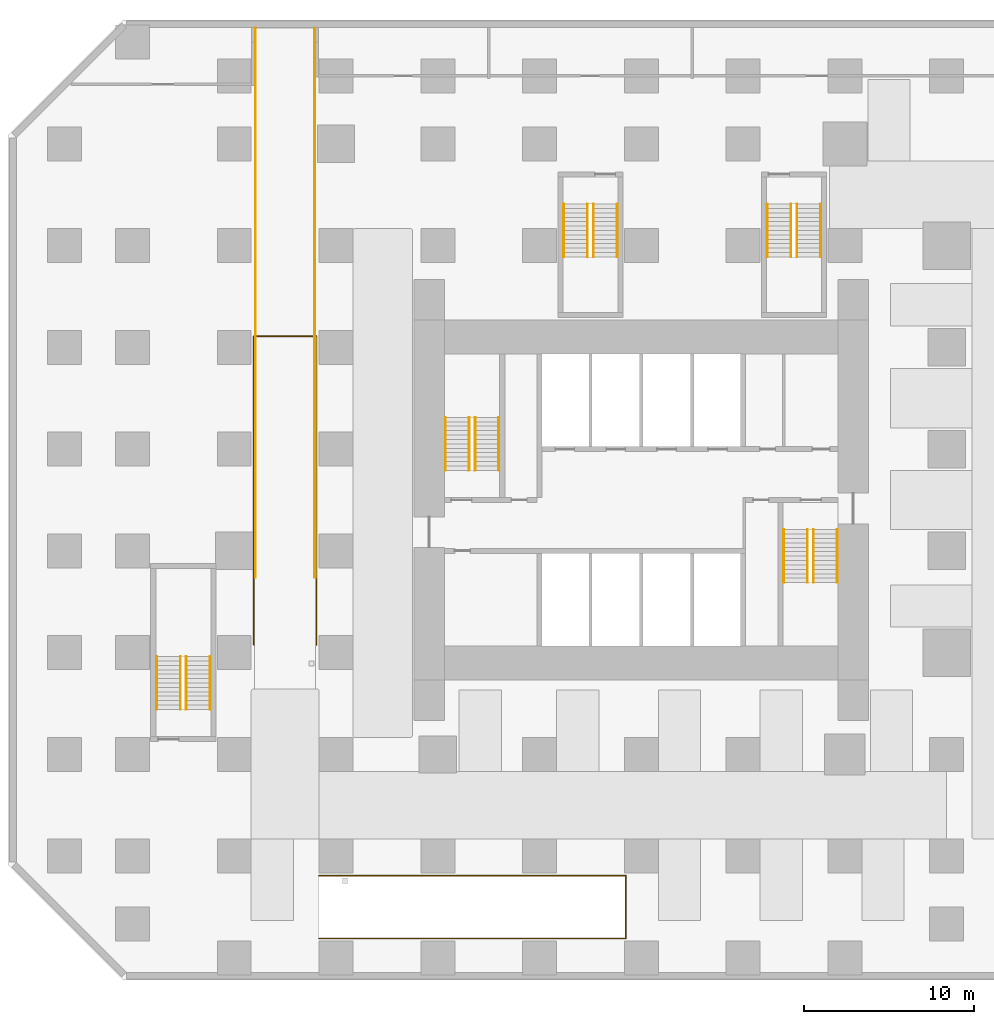
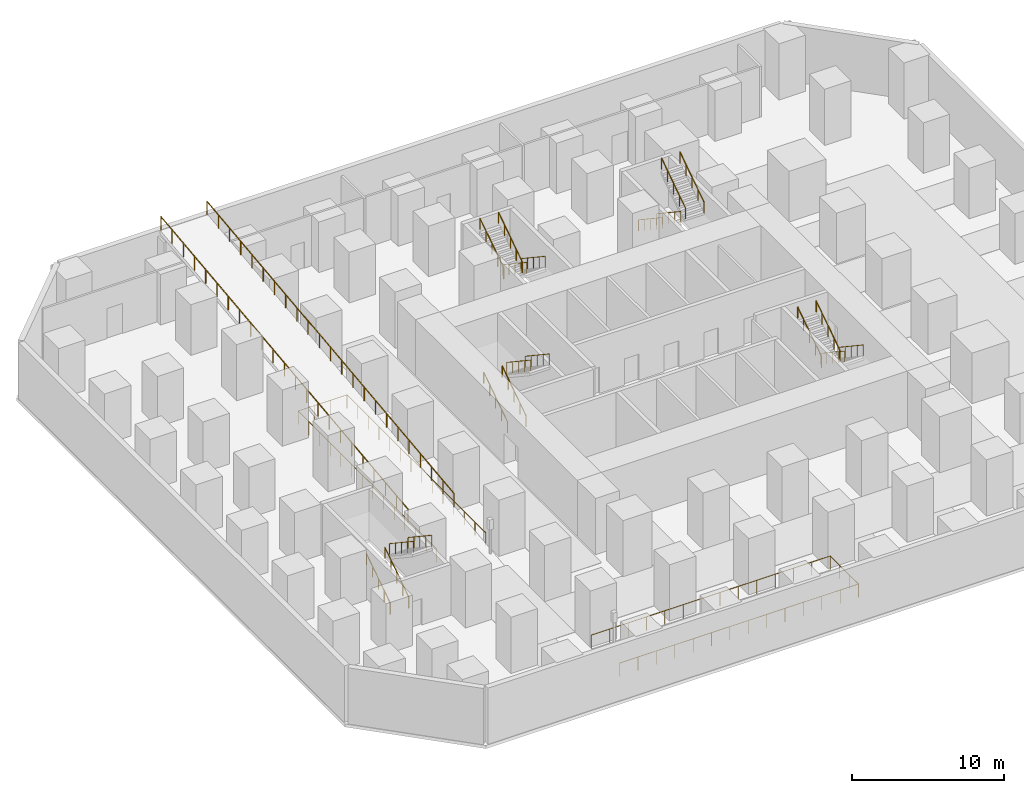
# One storey, part 5 of 6: 24 railings.
"""IFC4 building model written with IfcOpenShell, lengths in metres."""

import ifcopenshell
import ifcopenshell.guid

model = None  # the IFC model being written
_history = None  # IfcOwnerHistory: only IFC2X3 demands one
_inside = {}  # id of a spatial element -> (the spatial element, [elements in it])
_under = {}  # id of a project, library or spatial element -> (it, [spatial elements below it])
_declared = {}  # id of a project -> (the project, [libraries it declares])
_typed = {}  # id of a type object -> (the type object, [elements of that type])
_made_of = {}  # id of a material, layer set ... -> (it, [elements and type objects made of it])


def new_model(schema):
    """Start an empty IFC model of exactly this schema.

    Asked for "IFC4X3", IfcOpenShell would pick the latest addendum, in which some entities
    have other attributes; the version numbers below select the first issue.
    IFC2X3 requires an IfcOwnerHistory on every rooted entity: one is made here for all.
    """
    global model, _history
    if schema == "IFC4X3":
        model = ifcopenshell.file(schema_version=(4, 3, 0, 0))
    else:
        model = ifcopenshell.file(schema=schema)
    _inside.clear()
    _under.clear()
    _declared.clear()
    _typed.clear()
    _made_of.clear()
    _history = None
    if model.schema == "IFC2X3":
        org = make("IfcOrganization", Name="unknown")
        user = make(
            "IfcPersonAndOrganization",
            ThePerson=make("IfcPerson", FamilyName="unknown"),
            TheOrganization=org,
        )
        app = make(
            "IfcApplication",
            ApplicationDeveloper=org,
            Version="unknown",
            ApplicationFullName="unknown",
            ApplicationIdentifier="unknown",
        )
        _history = make(
            "IfcOwnerHistory",
            OwningUser=user,
            OwningApplication=app,
            ChangeAction="ADDED",
            CreationDate=0,
        )
    return model


def make(cls, **values):
    """One entity of the class cls with the attributes given. An attribute that is None is left unset."""
    return model.create_entity(
        cls, **{name: value for name, value in values.items() if value is not None}
    )


def rooted(cls, **values):
    """An entity with a GlobalId (a new one), such as an element, a storey or a relation."""
    return make(cls, GlobalId=ifcopenshell.guid.new(), OwnerHistory=_history, **values)


def si_unit(unit_type, name, prefix=None):
    """IfcSIUnit, for example si_unit("LENGTHUNIT", "METRE", prefix="MILLI")."""
    return make("IfcSIUnit", UnitType=unit_type, Prefix=prefix, Name=name)


def assignment(units):
    """IfcUnitAssignment: the units of a project."""
    return None if units is None else make("IfcUnitAssignment", Units=units)


def point(xyz):
    """IfcCartesianPoint."""
    return None if xyz is None else make("IfcCartesianPoint", Coordinates=xyz)


def direction(xyz):
    """IfcDirection."""
    return None if xyz is None else make("IfcDirection", DirectionRatios=xyz)


def frame(location, z_axis=None, x_axis=None):
    """IfcAxis2Placement3D, a coordinate frame: its origin and axes. An axis left out is left unset."""
    return make(
        "IfcAxis2Placement3D",
        Location=point(location),
        Axis=direction(z_axis),
        RefDirection=direction(x_axis),
    )


def frame_2d(location, x_axis=None):
    """IfcAxis2Placement2D, a coordinate frame in the plane: its origin and x axis."""
    return make(
        "IfcAxis2Placement2D", Location=point(location), RefDirection=direction(x_axis)
    )


def origin():
    """The frame at (0, 0, 0) with its axes left unset."""
    return frame((0.0, 0.0, 0.0))


def origin_2d():
    """The frame at (0, 0) in the plane with its x axis left unset."""
    return frame_2d((0.0, 0.0))


def place(relative_to, where):
    """IfcLocalPlacement: puts the frame where relative to a parent placement (None: the world)."""
    return make(
        "IfcLocalPlacement", PlacementRelTo=relative_to, RelativePlacement=where
    )


def context(
    kind, dimensions, precision=None, world=None, true_north=None, identifier=None
):
    """IfcGeometricRepresentationContext, for example the 3D "Model" context."""
    return make(
        "IfcGeometricRepresentationContext",
        ContextIdentifier=identifier,
        ContextType=kind,
        CoordinateSpaceDimension=dimensions,
        Precision=precision,
        WorldCoordinateSystem=world,
        TrueNorth=true_north,
    )


def subcontext(parent, identifier, kind, view, scale=None):
    """IfcGeometricRepresentationSubContext, for example "Body" below "Model"."""
    return make(
        "IfcGeometricRepresentationSubContext",
        ContextIdentifier=identifier,
        ContextType=kind,
        ParentContext=parent,
        TargetScale=scale,
        TargetView=view,
    )


def project(units=None, contexts=None):
    """IfcProject with its units and contexts."""
    return rooted(
        "IfcProject",
        Name="project",
        RepresentationContexts=contexts,
        UnitsInContext=assignment(units),
    )


def spatial(cls, under=None, at=None, **own):
    """A site, building, storey or space (cls), placed at a placement, below another one or the project."""
    s = rooted(cls, ObjectPlacement=at, **own)
    if under is not None:
        _under.setdefault(under.id(), (under, []))[1].append(s)
    return s


def profile(cls, at=None, kind="AREA", **sizes):
    """A parametric profile (cls). Its sizes go by their IFC names, for example OverallWidth=200.0."""
    return make(cls, ProfileType=kind, Position=at, **sizes)


def circle(**sizes):
    """IfcCircleProfileDef."""
    return profile("IfcCircleProfileDef", **sizes)


def extrude(swept, where, along, depth):
    """IfcExtrudedAreaSolid: the profile swept, set in the frame where, extruded along a direction by depth."""
    return make(
        "IfcExtrudedAreaSolid",
        SweptArea=swept,
        Position=where,
        ExtrudedDirection=direction(along),
        Depth=depth,
    )


def shape(context_of_items, identifier, shape_type, items):
    """IfcShapeRepresentation: the items that make up one representation, for example the "Body"."""
    return make(
        "IfcShapeRepresentation",
        ContextOfItems=context_of_items,
        RepresentationIdentifier=identifier,
        RepresentationType=shape_type,
        Items=items,
    )


def material(Name=None, Category=None):
    """IfcMaterial."""
    return make("IfcMaterial", Name=Name, Category=Category)


def made_of(thing, what):
    """Note that an element or type object is made of a material, layer set ...; save() writes the relation."""
    if what is not None:
        _made_of.setdefault(what.id(), (what, []))[1].append(thing)
    return thing


def type_object(cls, material=None, **own):
    """A type object (cls), such as IfcWallType, which elements share."""
    return made_of(rooted(cls, **own), material)


def element(
    cls,
    number,
    at=None,
    inside=None,
    cuts=None,
    type_object=None,
    material=None,
    context=None,
    identifier="Body",
    shape_type=None,
    held_by="IfcProductDefinitionShape",
    body=None,
    shapes=None,
    **own,
):
    """One element of the class cls, such as IfcWall. Its Tag is "e" and its number.

    at: its placement. inside: the storey or other place that contains it. cuts: it is an
    opening in that element (IfcRelVoidsElement). A single representation is given by context,
    identifier, shape_type and body (its items); several are given by shapes. held_by: the class
    of the entity that holds the representations. save() writes the other relations.
    """
    e = rooted(cls, Tag="e%d" % number, ObjectPlacement=at, **own)
    if body is not None:
        shapes = [shape(context, identifier, shape_type, body)]
    if shapes is not None:
        e.Representation = make(held_by, Representations=shapes)
    if inside is not None:
        _inside.setdefault(inside.id(), (inside, []))[1].append(e)
    if cuts is not None:
        rooted(
            "IfcRelVoidsElement", RelatingBuildingElement=cuts, RelatedOpeningElement=e
        )
    if type_object is not None:
        _typed.setdefault(type_object.id(), (type_object, []))[1].append(e)
    return made_of(e, material)


def aggregate(whole, parts):
    """IfcRelAggregates: a whole, such as a stair, and the parts it consists of."""
    return rooted("IfcRelAggregates", RelatingObject=whole, RelatedObjects=parts)


def save(model, path):
    """Write the relations noted so far, then the file.

    IfcRelAggregates (storeys below a building ...), IfcRelContainedInSpatialStructure (elements
    in a storey), IfcRelDefinesByType, IfcRelAssociatesMaterial and IfcRelDeclares: one each for
    every whole, place, type object, material and project.
    """
    for whole, parts in _under.values():
        aggregate(whole, parts)
    for where, things in _inside.values():
        rooted(
            "IfcRelContainedInSpatialStructure",
            RelatedElements=things,
            RelatingStructure=where,
        )
    for kind, things in _typed.values():
        rooted("IfcRelDefinesByType", RelatedObjects=things, RelatingType=kind)
    for what, things in _made_of.values():
        rooted("IfcRelAssociatesMaterial", RelatedObjects=things, RelatingMaterial=what)
    for by, libraries in _declared.values():
        rooted("IfcRelDeclares", RelatingContext=by, RelatedDefinitions=libraries)
    model.write(path)


model = new_model("IFC4")

# Units and contexts
model_context = context("Model", 3, precision=1e-05, world=origin(), true_north=direction((0.0, 1.0)))
body_context = subcontext(model_context, "Body", "Model", "MODEL_VIEW")
ifc_project = project(units=[si_unit("LENGTHUNIT", "METRE"), si_unit("AREAUNIT", "SQUARE_METRE"), si_unit("VOLUMEUNIT", "CUBIC_METRE"), si_unit("PLANEANGLEUNIT", "RADIAN"), si_unit("MASSUNIT", "GRAM", prefix="KILO")], contexts=[model_context])

# Site, building, storey
site_placement = place(None, origin())
site = spatial("IfcSite", under=ifc_project, at=site_placement, CompositionType="ELEMENT")
building_placement = place(site_placement, origin())
building = spatial("IfcBuilding", under=site, at=building_placement, Name="Highveld Stack Headquarters", CompositionType="ELEMENT")
storey_placement = place(building_placement, frame((0.0, 0.0, -4.5)))
storey = spatial("IfcBuildingStorey", under=building, at=storey_placement, Name="B1", CompositionType="ELEMENT", Elevation=-4.5)

# Railings
ifc_material_1 = material(Name="Steel balustrade, powder coated", Category="steel")
railing_type_1 = type_object("IfcRailingType", Name="RAMP GUARD GR3 1100", PredefinedType="GUARDRAIL", material=ifc_material_1)
railing_1_placement = place(storey_placement, frame((-16.85009765625, -5.535400390625, 0.0)))
element("IfcRailing", 1, at=railing_1_placement, inside=storey, type_object=railing_type_1, Name="Guard under ramp B1 R1 1", PredefinedType="GUARDRAIL", context=body_context, shape_type="SweptSolid", body=[
    extrude(circle(Radius=0.02392578125, at=origin_2d()), frame((0.0, 0.0, 1.076171875), z_axis=(0.0, 1.0, 0.0), x_axis=(-1.0, 0.0, 0.0)), (0.0, 0.0, 1.0), 18.18408203125),
    extrude(circle(Radius=0.02392578125, at=origin_2d()), frame((0.0, 18.18408203125, 1.076171875), z_axis=(1.0, 0.0, 0.0), x_axis=(0.0, 1.0, 0.0)), (0.0, 0.0, 1.0), 3.7001953125),
    extrude(circle(Radius=0.02392578125, at=origin_2d()), frame((3.7001953125, 18.18408203125, 1.076171875), z_axis=(0.0, -1.0, 0.0), x_axis=(1.0, 0.0, 0.0)), (0.0, 0.0, 1.0), 18.18408203125),
    extrude(circle(Radius=0.02099609375, at=origin_2d()), origin(), (0.0, 0.0, 1.0), 1.052001953125),
    extrude(circle(Radius=0.02099609375, at=origin_2d()), frame((0.0, 1.398681640625, 0.0)), (0.0, 0.0, 1.0), 1.052001953125),
    extrude(circle(Radius=0.02099609375, at=origin_2d()), frame((0.0, 2.797607421875, 0.0)), (0.0, 0.0, 1.0), 1.052001953125),
    extrude(circle(Radius=0.02099609375, at=origin_2d()), frame((0.0, 4.1962890625, 0.0)), (0.0, 0.0, 1.0), 1.052001953125),
    extrude(circle(Radius=0.02099609375, at=origin_2d()), frame((0.0, 5.59521484375, 0.0)), (0.0, 0.0, 1.0), 1.052001953125),
    extrude(circle(Radius=0.02099609375, at=origin_2d()), frame((0.0, 6.993896484375, 0.0)), (0.0, 0.0, 1.0), 1.052001953125),
    extrude(circle(Radius=0.02099609375, at=origin_2d()), frame((0.0, 8.392578125, 0.0)), (0.0, 0.0, 1.0), 1.052001953125),
    extrude(circle(Radius=0.02099609375, at=origin_2d()), frame((0.0, 9.79150390625, 0.0)), (0.0, 0.0, 1.0), 1.052001953125),
    extrude(circle(Radius=0.02099609375, at=origin_2d()), frame((0.0, 11.190185546875, 0.0)), (0.0, 0.0, 1.0), 1.052001953125),
    extrude(circle(Radius=0.02099609375, at=origin_2d()), frame((0.0, 12.5888671875, 0.0)), (0.0, 0.0, 1.0), 1.052001953125),
    extrude(circle(Radius=0.02099609375, at=origin_2d()), frame((0.0, 13.98779296875, 0.0)), (0.0, 0.0, 1.0), 1.052001953125),
    extrude(circle(Radius=0.02099609375, at=origin_2d()), frame((0.0, 15.386474609375, 0.0)), (0.0, 0.0, 1.0), 1.052001953125),
    extrude(circle(Radius=0.02099609375, at=origin_2d()), frame((0.0, 16.785400390625, 0.0)), (0.0, 0.0, 1.0), 1.052001953125),
    extrude(circle(Radius=0.02099609375, at=origin_2d()), frame((0.0, 18.18408203125, 0.0)), (0.0, 0.0, 1.0), 1.052001953125),
    extrude(circle(Radius=0.02099609375, at=origin_2d()), frame((1.2333984375, 18.18408203125, 0.0)), (0.0, 0.0, 1.0), 1.052001953125),
    extrude(circle(Radius=0.02099609375, at=origin_2d()), frame((2.466796875, 18.18408203125, 0.0)), (0.0, 0.0, 1.0), 1.052001953125),
    extrude(circle(Radius=0.02099609375, at=origin_2d()), frame((3.7001953125, 18.18408203125, 0.0)), (0.0, 0.0, 1.0), 1.052001953125),
    extrude(circle(Radius=0.02099609375, at=origin_2d()), frame((3.7001953125, 16.785400390625, 0.0)), (0.0, 0.0, 1.0), 1.052001953125),
    extrude(circle(Radius=0.02099609375, at=origin_2d()), frame((3.7001953125, 15.386474609375, 0.0)), (0.0, 0.0, 1.0), 1.052001953125),
    extrude(circle(Radius=0.02099609375, at=origin_2d()), frame((3.7001953125, 13.98779296875, 0.0)), (0.0, 0.0, 1.0), 1.052001953125),
    extrude(circle(Radius=0.02099609375, at=origin_2d()), frame((3.7001953125, 12.5888671875, 0.0)), (0.0, 0.0, 1.0), 1.052001953125),
    extrude(circle(Radius=0.02099609375, at=origin_2d()), frame((3.7001953125, 11.190185546875, 0.0)), (0.0, 0.0, 1.0), 1.052001953125),
    extrude(circle(Radius=0.02099609375, at=origin_2d()), frame((3.7001953125, 9.79150390625, 0.0)), (0.0, 0.0, 1.0), 1.052001953125),
    extrude(circle(Radius=0.02099609375, at=origin_2d()), frame((3.7001953125, 8.392578125, 0.0)), (0.0, 0.0, 1.0), 1.052001953125),
    extrude(circle(Radius=0.02099609375, at=origin_2d()), frame((3.7001953125, 6.993896484375, 0.0)), (0.0, 0.0, 1.0), 1.052001953125),
    extrude(circle(Radius=0.02099609375, at=origin_2d()), frame((3.7001953125, 5.59521484375, 0.0)), (0.0, 0.0, 1.0), 1.052001953125),
    extrude(circle(Radius=0.02099609375, at=origin_2d()), frame((3.7001953125, 4.1962890625, 0.0)), (0.0, 0.0, 1.0), 1.052001953125),
    extrude(circle(Radius=0.02099609375, at=origin_2d()), frame((3.7001953125, 2.797607421875, 0.0)), (0.0, 0.0, 1.0), 1.052001953125),
    extrude(circle(Radius=0.02099609375, at=origin_2d()), frame((3.7001953125, 1.398681640625, 0.0)), (0.0, 0.0, 1.0), 1.052001953125),
    extrude(circle(Radius=0.02099609375, at=origin_2d()), frame((3.7001953125, 0.0, 0.0)), (0.0, 0.0, 1.0), 1.052001953125),
])
railing_2_placement = place(storey_placement, frame((-16.75, 30.815673828125, 4.5)))
element("IfcRailing", 2, at=railing_2_placement, inside=storey, type_object=railing_type_1, Name="Guard on ramp R1 left", PredefinedType="GUARDRAIL", context=body_context, shape_type="SweptSolid", body=[
    extrude(circle(Radius=0.02392578125, at=origin_2d()), frame((0.0, 0.0, 1.076171875), z_axis=(0.0, -0.993397550005, -0.11472274249), x_axis=(1.0, 0.0, 0.0)), (0.0, 0.0, 1.0), 32.600341796875),
    extrude(circle(Radius=0.02099609375, at=origin_2d()), origin(), (0.0, 0.0, 1.0), 1.052001953125),
    extrude(circle(Radius=0.02099609375, at=origin_2d()), frame((0.0, -1.47216796875, -0.169921875)), (0.0, 0.0, 1.0), 1.052001953125),
    extrude(circle(Radius=0.02099609375, at=origin_2d()), frame((0.0, -2.944091796875, -0.340087890625)), (0.0, 0.0, 1.0), 1.052001953125),
    extrude(circle(Radius=0.02099609375, at=origin_2d()), frame((0.0, -4.416015625, -0.510009765625)), (0.0, 0.0, 1.0), 1.052001953125),
    extrude(circle(Radius=0.02099609375, at=origin_2d()), frame((0.0, -5.88818359375, -0.679931640625)), (0.0, 0.0, 1.0), 1.052001953125),
    extrude(circle(Radius=0.02099609375, at=origin_2d()), frame((0.0, -7.3603515625, -0.85009765625)), (0.0, 0.0, 1.0), 1.052001953125),
    extrude(circle(Radius=0.02099609375, at=origin_2d()), frame((0.0, -8.832275390625, -1.02001953125)), (0.0, 0.0, 1.0), 1.052001953125),
    extrude(circle(Radius=0.02099609375, at=origin_2d()), frame((0.0, -10.30419921875, -1.18994140625)), (0.0, 0.0, 1.0), 1.052001953125),
    extrude(circle(Radius=0.02099609375, at=origin_2d()), frame((0.0, -11.7763671875, -1.360107421875)), (0.0, 0.0, 1.0), 1.052001953125),
    extrude(circle(Radius=0.02099609375, at=origin_2d()), frame((0.0, -13.24853515625, -1.530029296875)), (0.0, 0.0, 1.0), 1.052001953125),
    extrude(circle(Radius=0.02099609375, at=origin_2d()), frame((0.0, -14.720458984375, -1.699951171875)), (0.0, 0.0, 1.0), 1.052001953125),
    extrude(circle(Radius=0.02099609375, at=origin_2d()), frame((0.0, -16.1923828125, -1.8701171875)), (0.0, 0.0, 1.0), 1.052001953125),
    extrude(circle(Radius=0.02099609375, at=origin_2d()), frame((0.0, -17.66455078125, -2.0400390625)), (0.0, 0.0, 1.0), 1.052001953125),
    extrude(circle(Radius=0.02099609375, at=origin_2d()), frame((0.0, -19.13671875, -2.2099609375)), (0.0, 0.0, 1.0), 1.052001953125),
    extrude(circle(Radius=0.02099609375, at=origin_2d()), frame((0.0, -20.608642578125, -2.3798828125)), (0.0, 0.0, 1.0), 1.052001953125),
    extrude(circle(Radius=0.02099609375, at=origin_2d()), frame((0.0, -22.08056640625, -2.550048828125)), (0.0, 0.0, 1.0), 1.052001953125),
    extrude(circle(Radius=0.02099609375, at=origin_2d()), frame((0.0, -23.552734375, -2.719970703125)), (0.0, 0.0, 1.0), 1.052001953125),
    extrude(circle(Radius=0.02099609375, at=origin_2d()), frame((0.0, -25.02490234375, -2.889892578125)), (0.0, 0.0, 1.0), 1.052001953125),
    extrude(circle(Radius=0.02099609375, at=origin_2d()), frame((0.0, -26.496826171875, -3.06005859375)), (0.0, 0.0, 1.0), 1.052001953125),
    extrude(circle(Radius=0.02099609375, at=origin_2d()), frame((0.0, -27.96875, -3.22998046875)), (0.0, 0.0, 1.0), 1.052001953125),
    extrude(circle(Radius=0.02099609375, at=origin_2d()), frame((0.0, -29.44091796875, -3.39990234375)), (0.0, 0.0, 1.0), 1.052001953125),
    extrude(circle(Radius=0.02099609375, at=origin_2d()), frame((0.0, -30.9130859375, -3.570068359375)), (0.0, 0.0, 1.0), 1.052001953125),
    extrude(circle(Radius=0.02099609375, at=origin_2d()), frame((0.0, -32.385009765625, -3.739990234375)), (0.0, 0.0, 1.0), 1.052001953125),
])
railing_3_placement = place(storey_placement, frame((-13.25, 30.815673828125, 4.5)))
element("IfcRailing", 3, at=railing_3_placement, inside=storey, type_object=railing_type_1, Name="Guard on ramp R1 right", PredefinedType="GUARDRAIL", context=body_context, shape_type="SweptSolid", body=[
    extrude(circle(Radius=0.02392578125, at=origin_2d()), frame((0.0, 0.0, 1.076171875), z_axis=(0.0, -0.993397550005, -0.11472274249), x_axis=(1.0, 0.0, 0.0)), (0.0, 0.0, 1.0), 32.600341796875),
    extrude(circle(Radius=0.02099609375, at=origin_2d()), origin(), (0.0, 0.0, 1.0), 1.052001953125),
    extrude(circle(Radius=0.02099609375, at=origin_2d()), frame((0.0, -1.47216796875, -0.169921875)), (0.0, 0.0, 1.0), 1.052001953125),
    extrude(circle(Radius=0.02099609375, at=origin_2d()), frame((0.0, -2.944091796875, -0.340087890625)), (0.0, 0.0, 1.0), 1.052001953125),
    extrude(circle(Radius=0.02099609375, at=origin_2d()), frame((0.0, -4.416015625, -0.510009765625)), (0.0, 0.0, 1.0), 1.052001953125),
    extrude(circle(Radius=0.02099609375, at=origin_2d()), frame((0.0, -5.88818359375, -0.679931640625)), (0.0, 0.0, 1.0), 1.052001953125),
    extrude(circle(Radius=0.02099609375, at=origin_2d()), frame((0.0, -7.3603515625, -0.85009765625)), (0.0, 0.0, 1.0), 1.052001953125),
    extrude(circle(Radius=0.02099609375, at=origin_2d()), frame((0.0, -8.832275390625, -1.02001953125)), (0.0, 0.0, 1.0), 1.052001953125),
    extrude(circle(Radius=0.02099609375, at=origin_2d()), frame((0.0, -10.30419921875, -1.18994140625)), (0.0, 0.0, 1.0), 1.052001953125),
    extrude(circle(Radius=0.02099609375, at=origin_2d()), frame((0.0, -11.7763671875, -1.360107421875)), (0.0, 0.0, 1.0), 1.052001953125),
    extrude(circle(Radius=0.02099609375, at=origin_2d()), frame((0.0, -13.24853515625, -1.530029296875)), (0.0, 0.0, 1.0), 1.052001953125),
    extrude(circle(Radius=0.02099609375, at=origin_2d()), frame((0.0, -14.720458984375, -1.699951171875)), (0.0, 0.0, 1.0), 1.052001953125),
    extrude(circle(Radius=0.02099609375, at=origin_2d()), frame((0.0, -16.1923828125, -1.8701171875)), (0.0, 0.0, 1.0), 1.052001953125),
    extrude(circle(Radius=0.02099609375, at=origin_2d()), frame((0.0, -17.66455078125, -2.0400390625)), (0.0, 0.0, 1.0), 1.052001953125),
    extrude(circle(Radius=0.02099609375, at=origin_2d()), frame((0.0, -19.13671875, -2.2099609375)), (0.0, 0.0, 1.0), 1.052001953125),
    extrude(circle(Radius=0.02099609375, at=origin_2d()), frame((0.0, -20.608642578125, -2.3798828125)), (0.0, 0.0, 1.0), 1.052001953125),
    extrude(circle(Radius=0.02099609375, at=origin_2d()), frame((0.0, -22.08056640625, -2.550048828125)), (0.0, 0.0, 1.0), 1.052001953125),
    extrude(circle(Radius=0.02099609375, at=origin_2d()), frame((0.0, -23.552734375, -2.719970703125)), (0.0, 0.0, 1.0), 1.052001953125),
    extrude(circle(Radius=0.02099609375, at=origin_2d()), frame((0.0, -25.02490234375, -2.889892578125)), (0.0, 0.0, 1.0), 1.052001953125),
    extrude(circle(Radius=0.02099609375, at=origin_2d()), frame((0.0, -26.496826171875, -3.06005859375)), (0.0, 0.0, 1.0), 1.052001953125),
    extrude(circle(Radius=0.02099609375, at=origin_2d()), frame((0.0, -27.96875, -3.22998046875)), (0.0, 0.0, 1.0), 1.052001953125),
    extrude(circle(Radius=0.02099609375, at=origin_2d()), frame((0.0, -29.44091796875, -3.39990234375)), (0.0, 0.0, 1.0), 1.052001953125),
    extrude(circle(Radius=0.02099609375, at=origin_2d()), frame((0.0, -30.9130859375, -3.570068359375)), (0.0, 0.0, 1.0), 1.052001953125),
    extrude(circle(Radius=0.02099609375, at=origin_2d()), frame((0.0, -32.385009765625, -3.739990234375)), (0.0, 0.0, 1.0), 1.052001953125),
])
railing_4_placement = place(storey_placement, frame((-13.0, -22.85009765625, 0.0)))
element("IfcRailing", 4, at=railing_4_placement, inside=storey, type_object=railing_type_1, Name="Ramp opening guard B1 R2 1", PredefinedType="GUARDRAIL", context=body_context, shape_type="SweptSolid", body=[
    extrude(circle(Radius=0.02392578125, at=origin_2d()), frame((0.0, 0.0, 1.076171875), z_axis=(1.0, 0.0, 0.0), x_axis=(0.0, 1.0, 0.0)), (0.0, 0.0, 1.0), 18.089599609375),
    extrude(circle(Radius=0.02392578125, at=origin_2d()), frame((18.089599609375, 0.0, 1.076171875), z_axis=(0.0, 1.0, 0.0), x_axis=(-1.0, 0.0, 0.0)), (0.0, 0.0, 1.0), 3.7001953125),
    extrude(circle(Radius=0.02392578125, at=origin_2d()), frame((18.089599609375, 3.7001953125, 1.076171875), z_axis=(-1.0, 0.0, 0.0), x_axis=(0.0, -1.0, 0.0)), (0.0, 0.0, 1.0), 18.089599609375),
    extrude(circle(Radius=0.02099609375, at=origin_2d()), origin(), (0.0, 0.0, 1.0), 1.052001953125),
    extrude(circle(Radius=0.02099609375, at=origin_2d()), frame((1.3916015625, 0.0, 0.0)), (0.0, 0.0, 1.0), 1.052001953125),
    extrude(circle(Radius=0.02099609375, at=origin_2d()), frame((2.782958984375, 0.0, 0.0)), (0.0, 0.0, 1.0), 1.052001953125),
    extrude(circle(Radius=0.02099609375, at=origin_2d()), frame((4.174560546875, 0.0, 0.0)), (0.0, 0.0, 1.0), 1.052001953125),
    extrude(circle(Radius=0.02099609375, at=origin_2d()), frame((5.56591796875, 0.0, 0.0)), (0.0, 0.0, 1.0), 1.052001953125),
    extrude(circle(Radius=0.02099609375, at=origin_2d()), frame((6.95751953125, 0.0, 0.0)), (0.0, 0.0, 1.0), 1.052001953125),
    extrude(circle(Radius=0.02099609375, at=origin_2d()), frame((8.34912109375, 0.0, 0.0)), (0.0, 0.0, 1.0), 1.052001953125),
    extrude(circle(Radius=0.02099609375, at=origin_2d()), frame((9.740478515625, 0.0, 0.0)), (0.0, 0.0, 1.0), 1.052001953125),
    extrude(circle(Radius=0.02099609375, at=origin_2d()), frame((11.132080078125, 0.0, 0.0)), (0.0, 0.0, 1.0), 1.052001953125),
    extrude(circle(Radius=0.02099609375, at=origin_2d()), frame((12.523681640625, 0.0, 0.0)), (0.0, 0.0, 1.0), 1.052001953125),
    extrude(circle(Radius=0.02099609375, at=origin_2d()), frame((13.9150390625, 0.0, 0.0)), (0.0, 0.0, 1.0), 1.052001953125),
    extrude(circle(Radius=0.02099609375, at=origin_2d()), frame((15.306640625, 0.0, 0.0)), (0.0, 0.0, 1.0), 1.052001953125),
    extrude(circle(Radius=0.02099609375, at=origin_2d()), frame((16.697998046875, 0.0, 0.0)), (0.0, 0.0, 1.0), 1.052001953125),
    extrude(circle(Radius=0.02099609375, at=origin_2d()), frame((18.089599609375, 0.0, 0.0)), (0.0, 0.0, 1.0), 1.052001953125),
    extrude(circle(Radius=0.02099609375, at=origin_2d()), frame((18.089599609375, 1.2333984375, 0.0)), (0.0, 0.0, 1.0), 1.052001953125),
    extrude(circle(Radius=0.02099609375, at=origin_2d()), frame((18.089599609375, 2.466796875, 0.0)), (0.0, 0.0, 1.0), 1.052001953125),
    extrude(circle(Radius=0.02099609375, at=origin_2d()), frame((18.089599609375, 3.7001953125, 0.0)), (0.0, 0.0, 1.0), 1.052001953125),
    extrude(circle(Radius=0.02099609375, at=origin_2d()), frame((16.697998046875, 3.7001953125, 0.0)), (0.0, 0.0, 1.0), 1.052001953125),
    extrude(circle(Radius=0.02099609375, at=origin_2d()), frame((15.306640625, 3.7001953125, 0.0)), (0.0, 0.0, 1.0), 1.052001953125),
    extrude(circle(Radius=0.02099609375, at=origin_2d()), frame((13.9150390625, 3.7001953125, 0.0)), (0.0, 0.0, 1.0), 1.052001953125),
    extrude(circle(Radius=0.02099609375, at=origin_2d()), frame((12.523681640625, 3.7001953125, 0.0)), (0.0, 0.0, 1.0), 1.052001953125),
    extrude(circle(Radius=0.02099609375, at=origin_2d()), frame((11.132080078125, 3.7001953125, 0.0)), (0.0, 0.0, 1.0), 1.052001953125),
    extrude(circle(Radius=0.02099609375, at=origin_2d()), frame((9.740478515625, 3.7001953125, 0.0)), (0.0, 0.0, 1.0), 1.052001953125),
    extrude(circle(Radius=0.02099609375, at=origin_2d()), frame((8.34912109375, 3.7001953125, 0.0)), (0.0, 0.0, 1.0), 1.052001953125),
    extrude(circle(Radius=0.02099609375, at=origin_2d()), frame((6.95751953125, 3.7001953125, 0.0)), (0.0, 0.0, 1.0), 1.052001953125),
    extrude(circle(Radius=0.02099609375, at=origin_2d()), frame((5.56591796875, 3.7001953125, 0.0)), (0.0, 0.0, 1.0), 1.052001953125),
    extrude(circle(Radius=0.02099609375, at=origin_2d()), frame((4.174560546875, 3.7001953125, 0.0)), (0.0, 0.0, 1.0), 1.052001953125),
    extrude(circle(Radius=0.02099609375, at=origin_2d()), frame((2.782958984375, 3.7001953125, 0.0)), (0.0, 0.0, 1.0), 1.052001953125),
    extrude(circle(Radius=0.02099609375, at=origin_2d()), frame((1.3916015625, 3.7001953125, 0.0)), (0.0, 0.0, 1.0), 1.052001953125),
    extrude(circle(Radius=0.02099609375, at=origin_2d()), frame((0.0, 3.7001953125, 0.0)), (0.0, 0.0, 1.0), 1.052001953125),
])
ifc_material_2 = material(Name="Stainless steel handrail", Category="steel")
railing_type_2 = type_object("IfcRailingType", Name="STAIR HANDRAIL HR1 900", PredefinedType="HANDRAIL", material=ifc_material_2)
for number, where, name in (
    (5, (-5.550048828125, 4.75, 0.173095703125), "Handrail S1 B1 flight 1"),
    (6, (-4.14990234375, 4.75, 0.173095703125), "Handrail S1 B1 flight 1"),
):
    element("IfcRailing", number, at=place(storey_placement, frame(where)), inside=storey, type_object=railing_type_2, Name=name, PredefinedType="HANDRAIL", context=body_context, shape_type="SweptSolid", body=[
        extrude(circle(Radius=0.02392578125, at=origin_2d()), frame((0.0, 0.0, 0.8759765625), z_axis=(0.0, 0.83244090515, 0.554113832559), x_axis=(-1.0, 0.0, 0.0)), (0.0, 0.0, 1.0), 3.748046875),
        extrude(circle(Radius=0.02099609375, at=origin_2d()), origin(), (0.0, 0.0, 1.0), 0.851806640625),
        extrude(circle(Radius=0.02099609375, at=origin_2d()), frame((0.0, 0.780029296875, 0.519287109375)), (0.0, 0.0, 1.0), 0.851806640625),
        extrude(circle(Radius=0.02099609375, at=origin_2d()), frame((0.0, 1.56005859375, 1.03857421875)), (0.0, 0.0, 1.0), 0.851806640625),
        extrude(circle(Radius=0.02099609375, at=origin_2d()), frame((0.0, 2.340087890625, 1.5576171875)), (0.0, 0.0, 1.0), 0.851806640625),
        extrude(circle(Radius=0.02099609375, at=origin_2d()), frame((0.0, 3.1201171875, 2.076904296875)), (0.0, 0.0, 1.0), 0.851806640625),
    ])
for number, where, name in (
    (7, (-3.800048828125, 7.8701171875, 2.423095703125), "Handrail S1 B1 flight 2"),
    (8, (-2.39990234375, 7.8701171875, 2.423095703125), "Handrail S1 B1 flight 2"),
    (9, (16.14990234375, 1.25, 0.173095703125), "Handrail S2 B1 flight 1"),
    (10, (17.550048828125, 1.25, 0.173095703125), "Handrail S2 B1 flight 1"),
):
    element("IfcRailing", number, at=place(storey_placement, frame(where)), inside=storey, type_object=railing_type_2, Name=name, PredefinedType="HANDRAIL", context=body_context, shape_type="SweptSolid", body=[
        extrude(circle(Radius=0.02392578125, at=origin_2d()), frame((0.0, 0.0, 0.8759765625), z_axis=(0.0, -0.83244090515, 0.554113832559), x_axis=(1.0, 0.0, 0.0)), (0.0, 0.0, 1.0), 3.748046875),
        extrude(circle(Radius=0.02099609375, at=origin_2d()), origin(), (0.0, 0.0, 1.0), 0.851806640625),
        extrude(circle(Radius=0.02099609375, at=origin_2d()), frame((0.0, -0.780029296875, 0.519287109375)), (0.0, 0.0, 1.0), 0.851806640625),
        extrude(circle(Radius=0.02099609375, at=origin_2d()), frame((0.0, -1.56005859375, 1.03857421875)), (0.0, 0.0, 1.0), 0.851806640625),
        extrude(circle(Radius=0.02099609375, at=origin_2d()), frame((0.0, -2.340087890625, 1.5576171875)), (0.0, 0.0, 1.0), 0.851806640625),
        extrude(circle(Radius=0.02099609375, at=origin_2d()), frame((0.0, -3.1201171875, 2.076904296875)), (0.0, 0.0, 1.0), 0.851806640625),
    ])
for number, where, name in (
    (11, (14.39990234375, -1.8701171875, 2.423095703125), "Handrail S2 B1 flight 2"),
    (12, (15.800048828125, -1.8701171875, 2.423095703125), "Handrail S2 B1 flight 2"),
    (13, (-22.574951171875, -9.35009765625, 0.173095703125), "Handrail PS1 B1 flight 1"),
    (14, (-21.175048828125, -9.35009765625, 0.173095703125), "Handrail PS1 B1 flight 1"),
):
    element("IfcRailing", number, at=place(storey_placement, frame(where)), inside=storey, type_object=railing_type_2, Name=name, PredefinedType="HANDRAIL", context=body_context, shape_type="SweptSolid", body=[
        extrude(circle(Radius=0.02392578125, at=origin_2d()), frame((0.0, 0.0, 0.8759765625), z_axis=(0.0, 0.83244090515, 0.554113832559), x_axis=(-1.0, 0.0, 0.0)), (0.0, 0.0, 1.0), 3.748046875),
        extrude(circle(Radius=0.02099609375, at=origin_2d()), origin(), (0.0, 0.0, 1.0), 0.851806640625),
        extrude(circle(Radius=0.02099609375, at=origin_2d()), frame((0.0, 0.780029296875, 0.519287109375)), (0.0, 0.0, 1.0), 0.851806640625),
        extrude(circle(Radius=0.02099609375, at=origin_2d()), frame((0.0, 1.56005859375, 1.03857421875)), (0.0, 0.0, 1.0), 0.851806640625),
        extrude(circle(Radius=0.02099609375, at=origin_2d()), frame((0.0, 2.340087890625, 1.5576171875)), (0.0, 0.0, 1.0), 0.851806640625),
        extrude(circle(Radius=0.02099609375, at=origin_2d()), frame((0.0, 3.1201171875, 2.076904296875)), (0.0, 0.0, 1.0), 0.851806640625),
    ])
for number, where, name in (
    (15, (-20.824951171875, -6.22998046875, 2.423095703125), "Handrail PS1 B1 flight 2"),
    (16, (-19.425048828125, -6.22998046875, 2.423095703125), "Handrail PS1 B1 flight 2"),
):
    element("IfcRailing", number, at=place(storey_placement, frame(where)), inside=storey, type_object=railing_type_2, Name=name, PredefinedType="HANDRAIL", context=body_context, shape_type="SweptSolid", body=[
        extrude(circle(Radius=0.02392578125, at=origin_2d()), frame((0.0, 0.0, 0.8759765625), z_axis=(0.0, -0.83244090515, 0.554113832559), x_axis=(1.0, 0.0, 0.0)), (0.0, 0.0, 1.0), 3.748046875),
        extrude(circle(Radius=0.02099609375, at=origin_2d()), origin(), (0.0, 0.0, 1.0), 0.851806640625),
        extrude(circle(Radius=0.02099609375, at=origin_2d()), frame((0.0, -0.780029296875, 0.519287109375)), (0.0, 0.0, 1.0), 0.851806640625),
        extrude(circle(Radius=0.02099609375, at=origin_2d()), frame((0.0, -1.56005859375, 1.03857421875)), (0.0, 0.0, 1.0), 0.851806640625),
        extrude(circle(Radius=0.02099609375, at=origin_2d()), frame((0.0, -2.340087890625, 1.5576171875)), (0.0, 0.0, 1.0), 0.851806640625),
        extrude(circle(Radius=0.02099609375, at=origin_2d()), frame((0.0, -3.1201171875, 2.076904296875)), (0.0, 0.0, 1.0), 0.851806640625),
    ])
for number, where, name in (
    (17, (13.425048828125, 20.449951171875, 0.173095703125), "Handrail PS2 B1 flight 1"),
    (18, (14.824951171875, 20.449951171875, 0.173095703125), "Handrail PS2 B1 flight 1"),
):
    element("IfcRailing", number, at=place(storey_placement, frame(where)), inside=storey, type_object=railing_type_2, Name=name, PredefinedType="HANDRAIL", context=body_context, shape_type="SweptSolid", body=[
        extrude(circle(Radius=0.02392578125, at=origin_2d()), frame((0.0, 0.0, 0.8759765625), z_axis=(0.0, -0.832420903958, 0.554143879018), x_axis=(1.0, 0.0, 0.0)), (0.0, 0.0, 1.0), 3.748046875),
        extrude(circle(Radius=0.02099609375, at=origin_2d()), origin(), (0.0, 0.0, 1.0), 0.851806640625),
        extrude(circle(Radius=0.02099609375, at=origin_2d()), frame((0.0, -0.780029296875, 0.519287109375)), (0.0, 0.0, 1.0), 0.851806640625),
        extrude(circle(Radius=0.02099609375, at=origin_2d()), frame((0.0, -1.56005859375, 1.03857421875)), (0.0, 0.0, 1.0), 0.851806640625),
        extrude(circle(Radius=0.02099609375, at=origin_2d()), frame((0.0, -2.33984375, 1.5576171875)), (0.0, 0.0, 1.0), 0.851806640625),
        extrude(circle(Radius=0.02099609375, at=origin_2d()), frame((0.0, -3.119873046875, 2.076904296875)), (0.0, 0.0, 1.0), 0.851806640625),
    ])
for number, where, name in (
    (19, (15.175048828125, 17.330078125, 2.423095703125), "Handrail PS2 B1 flight 2"),
    (20, (16.574951171875, 17.330078125, 2.423095703125), "Handrail PS2 B1 flight 2"),
):
    element("IfcRailing", number, at=place(storey_placement, frame(where)), inside=storey, type_object=railing_type_2, Name=name, PredefinedType="HANDRAIL", context=body_context, shape_type="SweptSolid", body=[
        extrude(circle(Radius=0.02392578125, at=origin_2d()), frame((0.0, 0.0, 0.8759765625), z_axis=(0.0, 0.832420903958, 0.554143879018), x_axis=(-1.0, 0.0, 0.0)), (0.0, 0.0, 1.0), 3.748046875),
        extrude(circle(Radius=0.02099609375, at=origin_2d()), origin(), (0.0, 0.0, 1.0), 0.851806640625),
        extrude(circle(Radius=0.02099609375, at=origin_2d()), frame((0.0, 0.780029296875, 0.519287109375)), (0.0, 0.0, 1.0), 0.851806640625),
        extrude(circle(Radius=0.02099609375, at=origin_2d()), frame((0.0, 1.56005859375, 1.03857421875)), (0.0, 0.0, 1.0), 0.851806640625),
        extrude(circle(Radius=0.02099609375, at=origin_2d()), frame((0.0, 2.33984375, 1.5576171875)), (0.0, 0.0, 1.0), 0.851806640625),
        extrude(circle(Radius=0.02099609375, at=origin_2d()), frame((0.0, 3.119873046875, 2.076904296875)), (0.0, 0.0, 1.0), 0.851806640625),
    ])
for number, where, name in (
    (21, (3.175048828125, 20.449951171875, 0.173095703125), "Handrail PS3 B1 flight 1"),
    (22, (4.574951171875, 20.449951171875, 0.173095703125), "Handrail PS3 B1 flight 1"),
):
    element("IfcRailing", number, at=place(storey_placement, frame(where)), inside=storey, type_object=railing_type_2, Name=name, PredefinedType="HANDRAIL", context=body_context, shape_type="SweptSolid", body=[
        extrude(circle(Radius=0.02392578125, at=origin_2d()), frame((0.0, 0.0, 0.8759765625), z_axis=(0.0, -0.832420903958, 0.554143879018), x_axis=(1.0, 0.0, 0.0)), (0.0, 0.0, 1.0), 3.748046875),
        extrude(circle(Radius=0.02099609375, at=origin_2d()), origin(), (0.0, 0.0, 1.0), 0.851806640625),
        extrude(circle(Radius=0.02099609375, at=origin_2d()), frame((0.0, -0.780029296875, 0.519287109375)), (0.0, 0.0, 1.0), 0.851806640625),
        extrude(circle(Radius=0.02099609375, at=origin_2d()), frame((0.0, -1.56005859375, 1.03857421875)), (0.0, 0.0, 1.0), 0.851806640625),
        extrude(circle(Radius=0.02099609375, at=origin_2d()), frame((0.0, -2.33984375, 1.5576171875)), (0.0, 0.0, 1.0), 0.851806640625),
        extrude(circle(Radius=0.02099609375, at=origin_2d()), frame((0.0, -3.119873046875, 2.076904296875)), (0.0, 0.0, 1.0), 0.851806640625),
    ])
for number, where, name in (
    (23, (1.425048828125, 17.330078125, 2.423095703125), "Handrail PS3 B1 flight 2"),
    (24, (2.824951171875, 17.330078125, 2.423095703125), "Handrail PS3 B1 flight 2"),
):
    element("IfcRailing", number, at=place(storey_placement, frame(where)), inside=storey, type_object=railing_type_2, Name=name, PredefinedType="HANDRAIL", context=body_context, shape_type="SweptSolid", body=[
        extrude(circle(Radius=0.02392578125, at=origin_2d()), frame((0.0, 0.0, 0.8759765625), z_axis=(0.0, 0.832420903958, 0.554143879018), x_axis=(-1.0, 0.0, 0.0)), (0.0, 0.0, 1.0), 3.748046875),
        extrude(circle(Radius=0.02099609375, at=origin_2d()), origin(), (0.0, 0.0, 1.0), 0.851806640625),
        extrude(circle(Radius=0.02099609375, at=origin_2d()), frame((0.0, 0.780029296875, 0.519287109375)), (0.0, 0.0, 1.0), 0.851806640625),
        extrude(circle(Radius=0.02099609375, at=origin_2d()), frame((0.0, 1.56005859375, 1.03857421875)), (0.0, 0.0, 1.0), 0.851806640625),
        extrude(circle(Radius=0.02099609375, at=origin_2d()), frame((0.0, 2.33984375, 1.5576171875)), (0.0, 0.0, 1.0), 0.851806640625),
        extrude(circle(Radius=0.02099609375, at=origin_2d()), frame((0.0, 3.119873046875, 2.076904296875)), (0.0, 0.0, 1.0), 0.851806640625),
    ])

save(model, "model.ifc")
